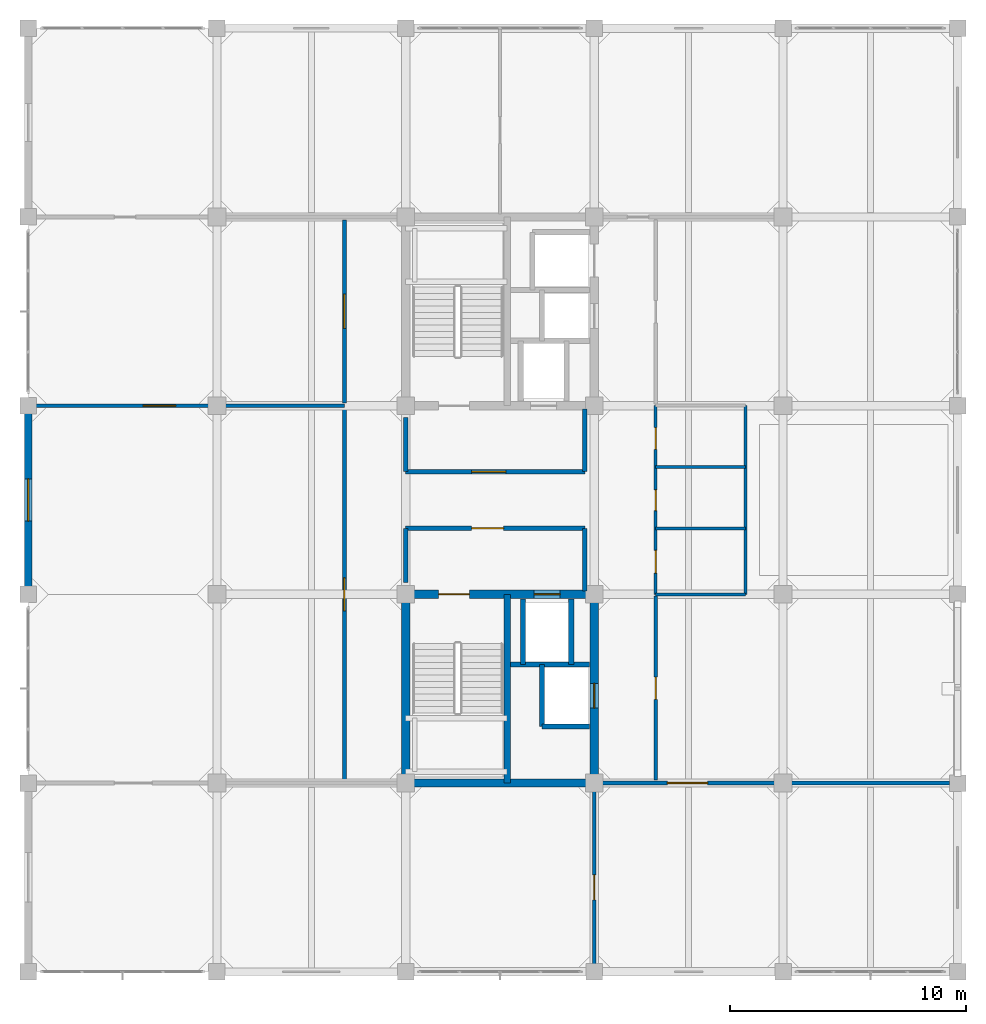
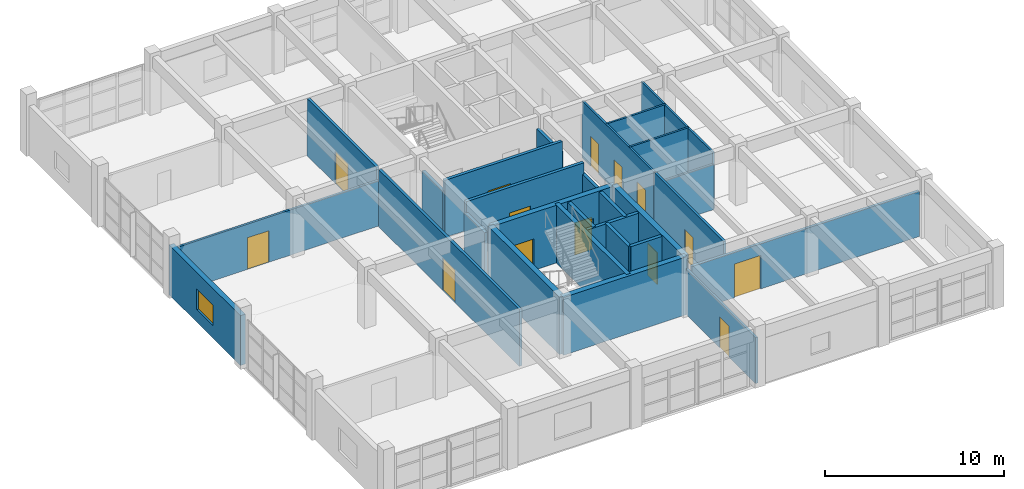
# One storey, part 21 of 27: 28 walls, 14 doors, 1 window, 15 openings.
"""IFC4 building model written with IfcOpenShell, lengths in metres."""

from ifc_helpers import new_model, si_unit, direction, frame, frame_2d, origin, place, context, subcontext, project, spatial, rectangle, extrude, material, layer, layer_set, type_object, element, fill, save


model = new_model("IFC4")

# Units and contexts
model_context = context("Model", 3, precision=1e-05, world=origin(), true_north=direction((0.0, 1.0)))
body_context = subcontext(model_context, "Body", "Model", "MODEL_VIEW")
ifc_project = project(units=[si_unit("LENGTHUNIT", "METRE"), si_unit("AREAUNIT", "SQUARE_METRE"), si_unit("VOLUMEUNIT", "CUBIC_METRE"), si_unit("PLANEANGLEUNIT", "RADIAN"), si_unit("MASSUNIT", "GRAM", prefix="KILO")], contexts=[model_context])

# Site, building, storey
site_placement = place(None, origin())
site = spatial("IfcSite", under=ifc_project, at=site_placement, CompositionType="ELEMENT")
building_placement = place(site_placement, origin())
building = spatial("IfcBuilding", under=site, at=building_placement, Name="Canggui Botanical Conservatory", CompositionType="ELEMENT")
storey_placement = place(building_placement, frame((0.0, 0.0, 36.0)))
storey = spatial("IfcBuildingStorey", under=building, at=storey_placement, Name="L09", CompositionType="ELEMENT", Elevation=36.0)

# Wall, opening, window
ifc_material_1 = material(Name="Precast Concrete C40", Category="concrete")
ifc_layer_1 = layer(ifc_material_1, 0.320068359375, Name="Precast Concrete C40", Category="concrete")
ifc_layer_set_1 = layer_set([ifc_layer_1], Name="Precast Concrete C40")
wall_type_1 = type_object("IfcWallType", Name="EW-320", PredefinedType="STANDARD", material=ifc_layer_set_1)
wall_1_placement = place(storey_placement, frame((138.0, 50.0, 0.0), z_axis=(0.0, 0.0, 1.0), x_axis=(0.0, 1.0, 0.0)))
wall_1 = element("IfcWall", 1, at=wall_1_placement, inside=storey, type_object=wall_type_1, Name="Tower Insulated Exterior Wall L09-W8", PredefinedType="STANDARD", context=body_context, shape_type="SweptSolid", body=[
    extrude(rectangle(XDim=8.0, YDim=0.320068359375, at=frame_2d((4.0, 0.0))), origin(), (0.0, 0.0, 1.0), 3.39990234375),
])
opening_1_placement = place(wall_1_placement, frame((3.10009765625, 0.0, 0.85009765625)))
opening_1 = element("IfcOpeningElement", 2, at=opening_1_placement, cuts=wall_1, Name="Opening W-03", PredefinedType="OPENING", context=body_context, shape_type="SweptSolid", body=[
    extrude(rectangle(XDim=1.800048828125, YDim=1.39990234375, at=frame_2d((0.89990234375, 0.699951171875))), frame((0.0, 0.169921875, 0.0), z_axis=(0.0, -1.0, 0.0), x_axis=(1.0, 0.0, 0.0)), (0.0, 0.0, 1.0), 0.340087890625),
])
ifc_material_2 = material(Name="Low-E Insulated Glass", Category="glass")
window_type = type_object("IfcWindowType", Name="WIN-03", PartitioningType="DOUBLE_PANEL_VERTICAL", PredefinedType="WINDOW", material=ifc_material_2)
window_placement = place(opening_1_placement, origin())
window = element("IfcWindow", 3, at=window_placement, inside=storey, type_object=window_type, Name="Tower Window L09-8", OverallHeight=1.39990234375, OverallWidth=1.800048828125, PartitioningType="SINGLE_PANEL", PredefinedType="WINDOW", context=body_context, shape_type="SweptSolid", body=[
    extrude(rectangle(XDim=1.800048828125, YDim=1.39990234375, at=frame_2d((0.89990234375, 0.699951171875))), frame((0.0, 0.030029296875, 0.0), z_axis=(0.0, -1.0, 0.0), x_axis=(1.0, 0.0, 0.0)), (0.0, 0.0, 1.0), 0.06005859375),
])
fill(opening_1, window)

# Wall, opening, door
ifc_material_3 = material(Name="Gypsum Plasterboard Partition")
ifc_layer_2 = layer(ifc_material_3, 0.175048828125, Name="Gypsum Plasterboard Partition")
ifc_layer_set_2 = layer_set([ifc_layer_2], Name="Gypsum Plasterboard Partition")
wall_type_2 = type_object("IfcWallType", Name="IW-CORR-175", PredefinedType="STANDARD", material=ifc_layer_set_2)
wall_2_placement = place(storey_placement, frame((151.39990234375, 42.1201171875, 0.0), z_axis=(0.0, 0.0, 1.0), x_axis=(0.0, 1.0, 0.0)))
wall_2 = element("IfcWall", 4, at=wall_2_placement, inside=storey, type_object=wall_type_2, Name="L09 Molecular Botany Research Laboratory Corridor Wall", PredefinedType="STANDARD", context=body_context, shape_type="SweptSolid", body=[
    extrude(rectangle(XDim=15.759765625, YDim=0.175048828125, at=frame_2d((7.8798828125, 0.0))), origin(), (0.0, 0.0, 1.0), 3.89990234375),
])
opening_2_placement = place(wall_2_placement, frame((7.179931640625, 0.0, 0.0)))
opening_2 = element("IfcOpeningElement", 5, at=opening_2_placement, cuts=wall_2, Name="Opening FD-11", PredefinedType="OPENING", context=body_context, shape_type="SweptSolid", body=[
    extrude(rectangle(XDim=1.39990234375, YDim=2.199951171875, at=frame_2d((0.699951171875, 1.10009765625))), frame((0.0, 0.09765625, 0.0), z_axis=(0.0, -1.0, 0.0), x_axis=(1.0, 0.0, 0.0)), (0.0, 0.0, 1.0), 0.195068359375),
])
ifc_material_4 = material(Name="Powder-Coated Steel", Category="steel")
door_type_1 = type_object("IfcDoorType", Name="FD-11", OperationType="NOTDEFINED", PredefinedType="DOOR", material=ifc_material_4)
door_1_placement = place(opening_2_placement, origin())
door_1 = element("IfcDoor", 6, at=door_1_placement, inside=storey, type_object=door_type_1, Name="L09 Molecular Botany Research Laboratory Entrance Door", OperationType="SINGLE_SWING_LEFT", OverallHeight=2.199951171875, OverallWidth=1.39990234375, PredefinedType="DOOR", context=body_context, shape_type="SweptSolid", body=[
    extrude(rectangle(XDim=1.39990234375, YDim=2.199951171875, at=frame_2d((0.699951171875, 1.10009765625))), frame((0.0, 0.02490234375, 0.0), z_axis=(0.0, -1.0, 0.0), x_axis=(1.0, 0.0, 0.0)), (0.0, 0.0, 1.0), 0.050048828125),
])
fill(opening_2, door_1)

wall_3_placement = place(storey_placement, frame((151.39990234375, 58.1201171875, 0.0), z_axis=(0.0, 0.0, 1.0), x_axis=(0.0, 1.0, 0.0)))
wall_3 = element("IfcWall", 7, at=wall_3_placement, inside=storey, type_object=wall_type_2, Name="L09 PCR Amplification Clean Suite Corridor Wall", PredefinedType="STANDARD", context=body_context, shape_type="SweptSolid", body=[
    extrude(rectangle(XDim=7.759765625, YDim=0.175048828125, at=frame_2d((3.8798828125, 0.0))), origin(), (0.0, 0.0, 1.0), 3.89990234375),
])
opening_3_placement = place(wall_3_placement, frame((3.155029296875, 0.0, 0.0)))
opening_3 = element("IfcOpeningElement", 8, at=opening_3_placement, cuts=wall_3, Name="Opening FD-12", PredefinedType="OPENING", context=body_context, shape_type="SweptSolid", body=[
    extrude(rectangle(XDim=1.449951171875, YDim=2.199951171875, at=frame_2d((0.72509765625, 1.10009765625))), frame((0.0, 0.09765625, 0.0), z_axis=(0.0, -1.0, 0.0), x_axis=(1.0, 0.0, 0.0)), (0.0, 0.0, 1.0), 0.195068359375),
])
door_type_2 = type_object("IfcDoorType", Name="FD-12", OperationType="NOTDEFINED", PredefinedType="DOOR", material=ifc_material_4)
door_2_placement = place(opening_3_placement, origin())
door_2 = element("IfcDoor", 9, at=door_2_placement, inside=storey, type_object=door_type_2, Name="L09 PCR Amplification Clean Suite Entrance Door", OperationType="SINGLE_SWING_LEFT", OverallHeight=2.199951171875, OverallWidth=1.449951171875, PredefinedType="DOOR", context=body_context, shape_type="SweptSolid", body=[
    extrude(rectangle(XDim=1.449951171875, YDim=2.199951171875, at=frame_2d((0.72509765625, 1.10009765625))), frame((0.0, 0.02490234375, 0.0), z_axis=(0.0, -1.0, 0.0), x_axis=(1.0, 0.0, 0.0)), (0.0, 0.0, 1.0), 0.050048828125),
])
fill(opening_3, door_2)

wall_4_placement = place(storey_placement, frame((162.35009765625, 42.0, 0.0), z_axis=(0.0, 0.0, 1.0), x_axis=(1.0, 0.0, 0.0)))
wall_4 = element("IfcWall", 10, at=wall_4_placement, inside=storey, type_object=wall_type_2, Name="L09 Nucleic Acid Extraction Room South Suite Wall", PredefinedType="STANDARD", context=body_context, shape_type="SweptSolid", body=[
    extrude(rectangle(XDim=14.699951171875, YDim=0.175048828125, at=frame_2d((7.35009765625, 0.0))), origin(), (0.0, 0.0, 1.0), 3.090087890625),
])
opening_4_placement = place(wall_4_placement, frame((2.75, 0.0, 0.0)))
opening_4 = element("IfcOpeningElement", 11, at=opening_4_placement, cuts=wall_4, Name="Opening FD-16", PredefinedType="OPENING", context=body_context, shape_type="SweptSolid", body=[
    extrude(rectangle(XDim=1.699951171875, YDim=2.300048828125, at=frame_2d((0.85009765625, 1.14990234375))), frame((0.0, 0.09765625, 0.0), z_axis=(0.0, -1.0, 0.0), x_axis=(1.0, 0.0, 0.0)), (0.0, 0.0, 1.0), 0.195068359375),
])
door_type_3 = type_object("IfcDoorType", Name="FD-16", OperationType="NOTDEFINED", PredefinedType="DOOR", material=ifc_material_4)
door_3_placement = place(opening_4_placement, origin())
door_3 = element("IfcDoor", 12, at=door_3_placement, inside=storey, type_object=door_type_3, Name="Interior Door IW-L09-SCOR-2", OperationType="DOUBLE_DOOR_SINGLE_SWING", OverallHeight=2.300048828125, OverallWidth=1.699951171875, PredefinedType="DOOR", context=body_context, shape_type="SweptSolid", body=[
    extrude(rectangle(XDim=1.699951171875, YDim=2.300048828125, at=frame_2d((0.85009765625, 1.14990234375))), frame((0.0, 0.02490234375, 0.0), z_axis=(0.0, -1.0, 0.0), x_axis=(1.0, 0.0, 0.0)), (0.0, 0.0, 1.0), 0.050048828125),
])
fill(opening_4, door_3)

ifc_layer_3 = layer(ifc_material_3, 0.155029296875, Name="Gypsum Plasterboard Partition")
ifc_layer_set_3 = layer_set([ifc_layer_3], Name="Gypsum Plasterboard Partition")
wall_type_3 = type_object("IfcWallType", Name="IW-LAB-155", PredefinedType="STANDARD", material=ifc_layer_set_3)
wall_5_placement = place(storey_placement, frame((164.60009765625, 42.1201171875, 0.0), z_axis=(0.0, 0.0, 1.0), x_axis=(0.0, 1.0, 0.0)))
wall_5 = element("IfcWall", 13, at=wall_5_placement, inside=storey, type_object=wall_type_3, Name="L09 Proteomics and Sequencing Research Laboratory Lab Wall", PredefinedType="STANDARD", context=body_context, shape_type="SweptSolid", body=[
    extrude(rectangle(XDim=7.7998046875, YDim=0.155029296875, at=frame_2d((3.89990234375, 0.0))), origin(), (0.0, 0.0, 1.0), 3.89990234375),
])
opening_5_placement = place(wall_5_placement, frame((3.425048828125, 0.0, 0.0)))
opening_5 = element("IfcOpeningElement", 14, at=opening_5_placement, cuts=wall_5, Name="Opening FD-02", PredefinedType="OPENING", context=body_context, shape_type="SweptSolid", body=[
    extrude(rectangle(XDim=0.949951171875, YDim=2.10009765625, at=frame_2d((0.47509765625, 1.050048828125))), frame((0.0, 0.08740234375, 0.0), z_axis=(0.0, -1.0, 0.0), x_axis=(1.0, 0.0, 0.0)), (0.0, 0.0, 1.0), 0.175048828125),
])
door_type_4 = type_object("IfcDoorType", Name="FD-02", OperationType="NOTDEFINED", PredefinedType="DOOR", material=ifc_material_4)
door_4_placement = place(opening_5_placement, origin())
door_4 = element("IfcDoor", 15, at=door_4_placement, inside=storey, type_object=door_type_4, Name="Interior Door IW-L09-ECOR-1-1", OperationType="SINGLE_SWING_RIGHT", OverallHeight=2.10009765625, OverallWidth=0.949951171875, PredefinedType="DOOR", context=body_context, shape_type="SweptSolid", body=[
    extrude(rectangle(XDim=0.949951171875, YDim=2.10009765625, at=frame_2d((0.47509765625, 1.050048828125))), frame((0.0, 0.02490234375, 0.0), z_axis=(0.0, -1.0, 0.0), x_axis=(1.0, 0.0, 0.0)), (0.0, 0.0, 1.0), 0.050048828125),
])
fill(opening_5, door_4)

ifc_material_5 = material(Name="Concrete C35", Category="concrete")
ifc_layer_4 = layer(ifc_material_5, 0.195068359375, Name="Concrete C35", Category="concrete")
ifc_layer_set_4 = layer_set([ifc_layer_4], Name="Concrete C35")
wall_type_4 = type_object("IfcWallType", Name="IW-LOBBY-195", PredefinedType="STANDARD", material=ifc_layer_set_4)
wall_6_placement = place(storey_placement, frame((154.0, 52.800048828125, 0.0), z_axis=(0.0, 0.0, 1.0), x_axis=(1.0, 0.0, 0.0)))
wall_6 = element("IfcWall", 16, at=wall_6_placement, inside=storey, type_object=wall_type_4, Name="L09 South Firefighting Lift Lobby North Wall", PredefinedType="STANDARD", context=body_context, shape_type="SweptSolid", body=[
    extrude(rectangle(XDim=7.60009765625, YDim=0.195068359375, at=frame_2d((3.800048828125, 0.0))), origin(), (0.0, 0.0, 1.0), 3.89990234375),
])
opening_6_placement = place(wall_6_placement, frame((2.800048828125, 0.0, 0.0)))
opening_6 = element("IfcOpeningElement", 17, at=opening_6_placement, cuts=wall_6, Name="Opening FD-10", PredefinedType="OPENING", context=body_context, shape_type="SweptSolid", body=[
    extrude(rectangle(XDim=1.35009765625, YDim=2.14990234375, at=frame_2d((0.675048828125, 1.074951171875))), frame((0.0, 0.107421875, 0.0), z_axis=(0.0, -1.0, 0.0), x_axis=(1.0, 0.0, 0.0)), (0.0, 0.0, 1.0), 0.215087890625),
])
door_type_5 = type_object("IfcDoorType", Name="FD-10", OperationType="NOTDEFINED", PredefinedType="DOOR", material=ifc_material_4)
door_5_placement = place(opening_6_placement, origin())
door_5 = element("IfcDoor", 18, at=door_5_placement, inside=storey, type_object=door_type_5, Name="L09 South Firefighting Lobby Fire Door", OperationType="SINGLE_SWING_RIGHT", OverallHeight=2.14990234375, OverallWidth=1.35009765625, PredefinedType="DOOR", context=body_context, shape_type="SweptSolid", body=[
    extrude(rectangle(XDim=1.35009765625, YDim=2.14990234375, at=frame_2d((0.675048828125, 1.074951171875))), frame((0.0, 0.02490234375, 0.0), z_axis=(0.0, -1.0, 0.0), x_axis=(1.0, 0.0, 0.0)), (0.0, 0.0, 1.0), 0.050048828125),
])
fill(opening_6, door_5)

# Walls
wall_7_placement = place(storey_placement, frame((161.60009765625, 50.14990234375, 0.0), z_axis=(0.0, 0.0, 1.0), x_axis=(0.0, 1.0, 0.0)))
element("IfcWall", 19, at=wall_7_placement, inside=storey, type_object=wall_type_4, Name="L09 South Firefighting Lift Lobby East Wall", PredefinedType="STANDARD", context=body_context, shape_type="SweptSolid", body=[
    extrude(rectangle(XDim=2.650146484375, YDim=0.195068359375, at=frame_2d((1.3251953125, 0.0))), origin(), (0.0, 0.0, 1.0), 3.139892578125),
])
wall_8_placement = place(storey_placement, frame((154.0, 50.5, 0.0), z_axis=(0.0, 0.0, 1.0), x_axis=(0.0, 1.0, 0.0)))
element("IfcWall", 20, at=wall_8_placement, inside=storey, type_object=wall_type_4, Name="L09 South Firefighting Lift Lobby West Wall", PredefinedType="STANDARD", context=body_context, shape_type="SweptSolid", body=[
    extrude(rectangle(XDim=2.300048828125, YDim=0.195068359375, at=frame_2d((1.14990234375, 0.0))), origin(), (0.0, 0.0, 1.0), 3.139892578125),
])

# Wall, opening, door
wall_9_placement = place(storey_placement, frame((154.0, 55.199951171875, 0.0), z_axis=(0.0, 0.0, 1.0), x_axis=(1.0, 0.0, 0.0)))
wall_9 = element("IfcWall", 21, at=wall_9_placement, inside=storey, type_object=wall_type_4, Name="L09 North Firefighting Lift Lobby South Wall", PredefinedType="STANDARD", context=body_context, shape_type="SweptSolid", body=[
    extrude(rectangle(XDim=7.60009765625, YDim=0.195068359375, at=frame_2d((3.800048828125, 0.0))), origin(), (0.0, 0.0, 1.0), 3.89990234375),
])
opening_7_placement = place(wall_9_placement, frame((2.800048828125, 0.0, 0.0)))
opening_7 = element("IfcOpeningElement", 22, at=opening_7_placement, cuts=wall_9, Name="Opening FD-12", PredefinedType="OPENING", context=body_context, shape_type="SweptSolid", body=[
    extrude(rectangle(XDim=1.449951171875, YDim=2.199951171875, at=frame_2d((0.72509765625, 1.10009765625))), frame((0.0, 0.107421875, 0.0), z_axis=(0.0, -1.0, 0.0), x_axis=(1.0, 0.0, 0.0)), (0.0, 0.0, 1.0), 0.215087890625),
])
door_6_placement = place(opening_7_placement, origin())
door_6 = element("IfcDoor", 23, at=door_6_placement, inside=storey, type_object=door_type_2, Name="L09 North Firefighting Lobby Fire Door", OperationType="SINGLE_SWING_LEFT", OverallHeight=2.199951171875, OverallWidth=1.449951171875, PredefinedType="DOOR", context=body_context, shape_type="SweptSolid", body=[
    extrude(rectangle(XDim=1.449951171875, YDim=2.199951171875, at=frame_2d((0.72509765625, 1.10009765625))), frame((0.0, 0.02490234375, 0.0), z_axis=(0.0, -1.0, 0.0), x_axis=(1.0, 0.0, 0.0)), (0.0, 0.0, 1.0), 0.050048828125),
])
fill(opening_7, door_6)

# Walls
wall_10_placement = place(storey_placement, frame((161.60009765625, 55.199951171875, 0.0), z_axis=(0.0, 0.0, 1.0), x_axis=(0.0, 1.0, 0.0)))
element("IfcWall", 24, at=wall_10_placement, inside=storey, type_object=wall_type_4, Name="L09 North Firefighting Lift Lobby East Wall", PredefinedType="STANDARD", context=body_context, shape_type="SweptSolid", body=[
    extrude(rectangle(XDim=2.650146484375, YDim=0.195068359375, at=frame_2d((1.3251953125, 0.0))), origin(), (0.0, 0.0, 1.0), 3.139892578125),
])
wall_11_placement = place(storey_placement, frame((154.0, 55.199951171875, 0.0), z_axis=(0.0, 0.0, 1.0), x_axis=(0.0, 1.0, 0.0)))
element("IfcWall", 25, at=wall_11_placement, inside=storey, type_object=wall_type_4, Name="L09 North Firefighting Lift Lobby West Wall", PredefinedType="STANDARD", context=body_context, shape_type="SweptSolid", body=[
    extrude(rectangle(XDim=2.300048828125, YDim=0.195068359375, at=frame_2d((1.14990234375, 0.0))), origin(), (0.0, 0.0, 1.0), 3.139892578125),
])

# Wall, opening, door
ifc_layer_5 = layer(ifc_material_3, 0.139892578125, Name="Gypsum Plasterboard Partition")
ifc_layer_set_5 = layer_set([ifc_layer_5], Name="Gypsum Plasterboard Partition")
wall_type_5 = type_object("IfcWallType", Name="IW-PART-140", PredefinedType="STANDARD", material=ifc_layer_set_5)
wall_12_placement = place(storey_placement, frame((138.1201171875, 58.0, 0.0), z_axis=(0.0, 0.0, 1.0), x_axis=(1.0, 0.0, 0.0)))
wall_12 = element("IfcWall", 26, at=wall_12_placement, inside=storey, type_object=wall_type_5, Name="L09 Molecular Botany Research Laboratory Cross Partition", PredefinedType="STANDARD", context=body_context, shape_type="SweptSolid", body=[
    extrude(rectangle(XDim=13.27978515625, YDim=0.139892578125, at=frame_2d((6.639892578125, 0.0))), origin(), (0.0, 0.0, 1.0), 3.090087890625),
])
opening_8_placement = place(wall_12_placement, frame((4.75, 0.0, 0.0)))
opening_8 = element("IfcOpeningElement", 27, at=opening_8_placement, cuts=wall_12, Name="Opening ID-11", PredefinedType="OPENING", context=body_context, shape_type="SweptSolid", body=[
    extrude(rectangle(XDim=1.3798828125, YDim=2.159912109375, at=frame_2d((0.68994140625, 1.080078125))), frame((0.0, 0.080078125, 0.0), z_axis=(0.0, -1.0, 0.0), x_axis=(1.0, 0.0, 0.0)), (0.0, 0.0, 1.0), 0.159912109375),
])
ifc_material_6 = material(Name="Engineered Timber Veneer", Category="wood")
door_type_6 = type_object("IfcDoorType", Name="ID-11", OperationType="NOTDEFINED", PredefinedType="DOOR", material=ifc_material_6)
door_7_placement = place(opening_8_placement, origin())
door_7 = element("IfcDoor", 28, at=door_7_placement, inside=storey, type_object=door_type_6, Name="L09 Molecular Botany Research Laboratory Interconnecting Door", OperationType="SINGLE_SWING_RIGHT", OverallHeight=2.159912109375, OverallWidth=1.3798828125, PredefinedType="DOOR", context=body_context, shape_type="SweptSolid", body=[
    extrude(rectangle(XDim=1.3798828125, YDim=2.159912109375, at=frame_2d((0.68994140625, 1.080078125))), frame((0.0, 0.02490234375, 0.0), z_axis=(0.0, -1.0, 0.0), x_axis=(1.0, 0.0, 0.0)), (0.0, 0.0, 1.0), 0.050048828125),
])
fill(opening_8, door_7)

wall_13_placement = place(storey_placement, frame((162.0, 34.050048828125, 0.0), z_axis=(0.0, 0.0, 1.0), x_axis=(0.0, 1.0, 0.0)))
wall_13 = element("IfcWall", 29, at=wall_13_placement, inside=storey, type_object=wall_type_5, Name="L09 High-Throughput Plant Genomics Laboratory South Cross Wall", PredefinedType="STANDARD", context=body_context, shape_type="SweptSolid", body=[
    extrude(rectangle(XDim=7.829833984375, YDim=0.139892578125, at=frame_2d((3.9150390625, 0.0))), origin(), (0.0, 0.0, 1.0), 3.139892578125),
])
opening_9_placement = place(wall_13_placement, frame((3.0, 0.0, 0.0)))
opening_9 = element("IfcOpeningElement", 30, at=opening_9_placement, cuts=wall_13, Name="Opening ID-05", PredefinedType="OPENING", context=body_context, shape_type="SweptSolid", body=[
    extrude(rectangle(XDim=1.06005859375, YDim=2.1201171875, at=frame_2d((0.530029296875, 1.06005859375))), frame((0.0, 0.080078125, 0.0), z_axis=(0.0, -1.0, 0.0), x_axis=(1.0, 0.0, 0.0)), (0.0, 0.0, 1.0), 0.159912109375),
])
door_type_7 = type_object("IfcDoorType", Name="ID-05", OperationType="NOTDEFINED", PredefinedType="DOOR", material=ifc_material_6)
door_8_placement = place(opening_9_placement, origin())
door_8 = element("IfcDoor", 31, at=door_8_placement, inside=storey, type_object=door_type_7, Name="Interior Door IW-L09-SDIV-1", OperationType="SINGLE_SWING_RIGHT", OverallHeight=2.1201171875, OverallWidth=1.06005859375, PredefinedType="DOOR", context=body_context, shape_type="SweptSolid", body=[
    extrude(rectangle(XDim=1.06005859375, YDim=2.1201171875, at=frame_2d((0.530029296875, 1.06005859375))), frame((0.0, 0.02490234375, 0.0), z_axis=(0.0, -1.0, 0.0), x_axis=(1.0, 0.0, 0.0)), (0.0, 0.0, 1.0), 0.050048828125),
])
fill(opening_9, door_8)

# Walls
ifc_layer_6 = layer(ifc_material_5, 0.215087890625, Name="Concrete C35", Category="concrete")
ifc_layer_set_6 = layer_set([ifc_layer_6], Name="Concrete C35")
wall_type_6 = type_object("IfcWallType", Name="IW-SHAFT-215", PredefinedType="STANDARD", material=ifc_layer_set_6)
wall_14_placement = place(storey_placement, frame((158.449951171875, 47.02001953125, 0.0), z_axis=(0.0, 0.0, 1.0), x_axis=(1.0, 0.0, 0.0)))
element("IfcWall", 32, at=wall_14_placement, inside=storey, type_object=wall_type_6, Name="Core T1 Lift Shaft Divider L09", PredefinedType="STANDARD", context=body_context, shape_type="SweptSolid", body=[
    extrude(rectangle(XDim=3.35009765625, YDim=0.215087890625, at=frame_2d((1.675048828125, 0.0))), origin(), (0.0, 0.0, 1.0), 3.89990234375),
])
for number, where, z_axis, x_axis, name in (
    (33, (158.97998046875, 47.02001953125, 0.0), (0.0, 0.0, 1.0), (0.0, 1.0, 0.0), "Core T1 FL-01 West Shaft Wall L09"),
    (34, (161.02001953125, 47.02001953125, 0.0), (0.0, 0.0, 1.0), (0.0, 1.0, 0.0), "Core T1 FL-01 East Shaft Wall L09"),
):
    element("IfcWall", number, at=place(storey_placement, frame(where, z_axis=z_axis, x_axis=x_axis)), inside=storey, type_object=wall_type_6, Name=name, PredefinedType="STANDARD", context=body_context, shape_type="SweptSolid", body=[
        extrude(rectangle(XDim=2.780029296875, YDim=0.215087890625, at=frame_2d((1.39013671875, 0.0))), origin(), (0.0, 0.0, 1.0), 3.89990234375),
    ])
wall_15_placement = place(storey_placement, frame((159.780029296875, 44.39990234375, 0.0), z_axis=(0.0, 0.0, 1.0), x_axis=(0.0, 1.0, 0.0)))
element("IfcWall", 35, at=wall_15_placement, inside=storey, type_object=wall_type_6, Name="Core T1 PL-01 West Shaft Wall L09", PredefinedType="STANDARD", context=body_context, shape_type="SweptSolid", body=[
    extrude(rectangle(XDim=2.6201171875, YDim=0.215087890625, at=frame_2d((1.31005859375, 0.0))), origin(), (0.0, 0.0, 1.0), 3.89990234375),
])
wall_16_placement = place(storey_placement, frame((159.780029296875, 44.39990234375, 0.0), z_axis=(0.0, 0.0, 1.0), x_axis=(1.0, 0.0, 0.0)))
element("IfcWall", 36, at=wall_16_placement, inside=storey, type_object=wall_type_6, Name="Core T1 PL-01 South Shaft Wall L09", PredefinedType="STANDARD", context=body_context, shape_type="SweptSolid", body=[
    extrude(rectangle(XDim=2.02001953125, YDim=0.215087890625, at=frame_2d((1.010009765625, 0.0))), origin(), (0.0, 0.0, 1.0), 3.89990234375),
])

# Wall, openings, doors
ifc_layer_7 = layer(ifc_material_3, 0.125, Name="Gypsum Plasterboard Partition")
ifc_layer_set_7 = layer_set([ifc_layer_7], Name="Gypsum Plasterboard Partition")
wall_type_7 = type_object("IfcWallType", Name="IW-WC-125", PredefinedType="STANDARD", material=ifc_layer_set_7)
wall_17_placement = place(storey_placement, frame((164.60009765625, 50.0, 0.0), z_axis=(0.0, 0.0, 1.0), x_axis=(0.0, 1.0, 0.0)))
wall_17 = element("IfcWall", 37, at=wall_17_placement, inside=storey, type_object=wall_type_7, Name="L09 Restroom Block Corridor Wall", PredefinedType="STANDARD", context=body_context, shape_type="SweptSolid", body=[
    extrude(rectangle(XDim=8.0, YDim=0.125, at=frame_2d((4.0, 0.0))), origin(), (0.0, 0.0, 1.0), 3.89990234375),
])
opening_10_placement = place(wall_17_placement, frame((0.89990234375, 0.0, 0.0)))
opening_10 = element("IfcOpeningElement", 38, at=opening_10_placement, cuts=wall_17, Name="Opening ID-03", PredefinedType="OPENING", context=body_context, shape_type="SweptSolid", body=[
    extrude(rectangle(XDim=0.9599609375, YDim=2.080078125, at=frame_2d((0.47998046875, 1.0400390625))), frame((0.0, 0.072509765625, 0.0), z_axis=(0.0, -1.0, 0.0), x_axis=(1.0, 0.0, 0.0)), (0.0, 0.0, 1.0), 0.14501953125),
])
opening_11_placement = place(wall_17_placement, frame((3.550048828125, 0.0, 0.0)))
opening_11 = element("IfcOpeningElement", 39, at=opening_11_placement, cuts=wall_17, Name="Opening ID-01", PredefinedType="OPENING", context=body_context, shape_type="SweptSolid", body=[
    extrude(rectangle(XDim=0.8798828125, YDim=2.050048828125, at=frame_2d((0.43994140625, 1.02490234375))), frame((0.0, 0.072509765625, 0.0), z_axis=(0.0, -1.0, 0.0), x_axis=(1.0, 0.0, 0.0)), (0.0, 0.0, 1.0), 0.14501953125),
])
opening_12_placement = place(wall_17_placement, frame((6.14990234375, 0.0, 0.0)))
opening_12 = element("IfcOpeningElement", 40, at=opening_12_placement, cuts=wall_17, Name="Opening ID-02", PredefinedType="OPENING", context=body_context, shape_type="SweptSolid", body=[
    extrude(rectangle(XDim=0.919921875, YDim=2.050048828125, at=frame_2d((0.4599609375, 1.02490234375))), frame((0.0, 0.072509765625, 0.0), z_axis=(0.0, -1.0, 0.0), x_axis=(1.0, 0.0, 0.0)), (0.0, 0.0, 1.0), 0.14501953125),
])
door_type_8 = type_object("IfcDoorType", Name="ID-01", OperationType="NOTDEFINED", PredefinedType="DOOR", material=ifc_material_6)
door_9_placement = place(opening_11_placement, origin())
door_9 = element("IfcDoor", 41, at=door_9_placement, inside=storey, type_object=door_type_8, Name="L09 Male WC Door", OperationType="SINGLE_SWING_LEFT", OverallHeight=2.050048828125, OverallWidth=0.8798828125, PredefinedType="DOOR", context=body_context, shape_type="SweptSolid", body=[
    extrude(rectangle(XDim=0.8798828125, YDim=2.050048828125, at=frame_2d((0.43994140625, 1.02490234375))), frame((0.0, 0.02490234375, 0.0), z_axis=(0.0, -1.0, 0.0), x_axis=(1.0, 0.0, 0.0)), (0.0, 0.0, 1.0), 0.050048828125),
])
fill(opening_11, door_9)
door_type_9 = type_object("IfcDoorType", Name="ID-02", OperationType="NOTDEFINED", PredefinedType="DOOR", material=ifc_material_6)
door_10_placement = place(opening_12_placement, origin())
door_10 = element("IfcDoor", 42, at=door_10_placement, inside=storey, type_object=door_type_9, Name="L09 Female WC Door", OperationType="SINGLE_SWING_RIGHT", OverallHeight=2.050048828125, OverallWidth=0.919921875, PredefinedType="DOOR", context=body_context, shape_type="SweptSolid", body=[
    extrude(rectangle(XDim=0.919921875, YDim=2.050048828125, at=frame_2d((0.4599609375, 1.02490234375))), frame((0.0, 0.02490234375, 0.0), z_axis=(0.0, -1.0, 0.0), x_axis=(1.0, 0.0, 0.0)), (0.0, 0.0, 1.0), 0.050048828125),
])
fill(opening_12, door_10)
door_type_10 = type_object("IfcDoorType", Name="ID-03", OperationType="NOTDEFINED", PredefinedType="DOOR", material=ifc_material_6)
door_11_placement = place(opening_10_placement, origin())
door_11 = element("IfcDoor", 43, at=door_11_placement, inside=storey, type_object=door_type_10, Name="L09 Accessible WC Door", OperationType="SINGLE_SWING_RIGHT", OverallHeight=2.080078125, OverallWidth=0.9599609375, PredefinedType="DOOR", context=body_context, shape_type="SweptSolid", body=[
    extrude(rectangle(XDim=0.9599609375, YDim=2.080078125, at=frame_2d((0.47998046875, 1.0400390625))), frame((0.0, 0.02490234375, 0.0), z_axis=(0.0, -1.0, 0.0), x_axis=(1.0, 0.0, 0.0)), (0.0, 0.0, 1.0), 0.050048828125),
])
fill(opening_10, door_11)

# Walls
wall_18_placement = place(storey_placement, frame((168.39990234375, 50.0, 0.0), z_axis=(0.0, 0.0, 1.0), x_axis=(0.0, 1.0, 0.0)))
element("IfcWall", 44, at=wall_18_placement, inside=storey, type_object=wall_type_7, Name="L09 Restroom Block Back Wall", PredefinedType="STANDARD", context=body_context, shape_type="SweptSolid", body=[
    extrude(rectangle(XDim=8.0, YDim=0.125, at=frame_2d((4.0, 0.0))), origin(), (0.0, 0.0, 1.0), 3.89990234375),
])
wall_19_placement = place(storey_placement, frame((164.60009765625, 50.0, 0.0), z_axis=(0.0, 0.0, 1.0), x_axis=(1.0, 0.0, 0.0)))
element("IfcWall", 45, at=wall_19_placement, inside=storey, type_object=wall_type_7, Name="L09 Restroom Divider Y50.0", PredefinedType="STANDARD", context=body_context, shape_type="SweptSolid", body=[
    extrude(rectangle(XDim=3.7998046875, YDim=0.125, at=frame_2d((1.89990234375, 0.0))), origin(), (0.0, 0.0, 1.0), 3.090087890625),
])
for number, where, z_axis, x_axis, name in (
    (46, (164.60009765625, 52.800048828125, 0.0), (0.0, 0.0, 1.0), (1.0, 0.0, 0.0), "L09 Restroom Divider Y52.8"),
    (47, (164.60009765625, 55.39990234375, 0.0), (0.0, 0.0, 1.0), (1.0, 0.0, 0.0), "L09 Restroom Divider Y55.4"),
):
    element("IfcWall", number, at=place(storey_placement, frame(where, z_axis=z_axis, x_axis=x_axis)), inside=storey, type_object=wall_type_7, Name=name, PredefinedType="STANDARD", context=body_context, shape_type="SweptSolid", body=[
        extrude(rectangle(XDim=3.7998046875, YDim=0.125, at=frame_2d((1.89990234375, 0.0))), origin(), (0.0, 0.0, 1.0), 3.89990234375),
    ])
ifc_layer_8 = layer(ifc_material_5, 0.280029296875, Name="Concrete C35", Category="concrete")
ifc_layer_set_8 = layer_set([ifc_layer_8], Name="Concrete C35")
wall_type_8 = type_object("IfcWallType", Name="WALL-SH-280-C35", PredefinedType="SHEAR", material=ifc_layer_set_8)
wall_20_placement = place(storey_placement, frame((158.300048828125, 42.0, 0.0), z_axis=(0.0, 0.0, 1.0), x_axis=(0.0, 1.0, 0.0)))
element("IfcWall", 48, at=wall_20_placement, inside=storey, type_object=wall_type_8, Name="Core T1 Internal Shear Web L09", PredefinedType="SHEAR", context=body_context, shape_type="SweptSolid", body=[
    extrude(rectangle(XDim=8.0, YDim=0.280029296875, at=frame_2d((4.0, 0.0))), origin(), (0.0, 0.0, 1.0), 3.949951171875),
])
ifc_material_7 = material(Name="Concrete C40", Category="concrete")
ifc_layer_9 = layer(ifc_material_7, 0.35009765625, Name="Concrete C40", Category="concrete")
ifc_layer_set_9 = layer_set([ifc_layer_9], Name="Concrete C40")
wall_type_9 = type_object("IfcWallType", Name="WALL-SH-350-C40", PredefinedType="SHEAR", material=ifc_layer_set_9)
wall_21_placement = place(storey_placement, frame((154.0, 42.0, 0.0), z_axis=(0.0, 0.0, 1.0), x_axis=(1.0, 0.0, 0.0)))
element("IfcWall", 49, at=wall_21_placement, inside=storey, type_object=wall_type_9, Name="Core T1 Shear Wall L09-S", PredefinedType="SHEAR", context=body_context, shape_type="SweptSolid", body=[
    extrude(rectangle(XDim=8.0, YDim=0.35009765625, at=frame_2d((4.0, 0.0))), origin(), (0.0, 0.0, 1.0), 3.949951171875),
])

# Wall, opening, door
wall_22_placement = place(storey_placement, frame((162.0, 42.0, 0.0), z_axis=(0.0, 0.0, 1.0), x_axis=(0.0, 1.0, 0.0)))
wall_22 = element("IfcWall", 50, at=wall_22_placement, inside=storey, type_object=wall_type_9, Name="Core T1 Shear Wall L09-E", PredefinedType="SHEAR", context=body_context, shape_type="SweptSolid", body=[
    extrude(rectangle(XDim=8.0, YDim=0.35009765625, at=frame_2d((4.0, 0.0))), origin(), (0.0, 0.0, 1.0), 3.949951171875),
])
opening_13_placement = place(wall_22_placement, frame((3.175048828125, 0.0, 0.0)))
opening_13 = element("IfcOpeningElement", 51, at=opening_13_placement, cuts=wall_22, Name="Opening LD-02", PredefinedType="OPENING", context=body_context, shape_type="SweptSolid", body=[
    extrude(rectangle(XDim=1.050048828125, YDim=2.199951171875, at=frame_2d((0.52490234375, 1.10009765625))), frame((0.0, 0.18505859375, 0.0), z_axis=(0.0, -1.0, 0.0), x_axis=(1.0, 0.0, 0.0)), (0.0, 0.0, 1.0), 0.3701171875),
])
ifc_material_8 = material(Name="Stainless Steel 304", Category="steel")
door_type_11 = type_object("IfcDoorType", Name="LDR-02", OperationType="NOTDEFINED", PredefinedType="DOOR", material=ifc_material_8)
door_12_placement = place(opening_13_placement, origin())
door_12 = element("IfcDoor", 52, at=door_12_placement, inside=storey, type_object=door_type_11, Name="Passenger Lift PL-01 Landing Door L09", OperationType="SLIDING_TO_LEFT", OverallHeight=2.199951171875, OverallWidth=1.050048828125, PredefinedType="DOOR", context=body_context, shape_type="SweptSolid", body=[
    extrude(rectangle(XDim=1.050048828125, YDim=2.199951171875, at=frame_2d((0.52490234375, 1.10009765625))), frame((0.0, 0.02490234375, 0.0), z_axis=(0.0, -1.0, 0.0), x_axis=(1.0, 0.0, 0.0)), (0.0, 0.0, 1.0), 0.050048828125),
])
fill(opening_13, door_12)

# Wall, openings, doors
wall_23_placement = place(storey_placement, frame((162.0, 50.0, 0.0), z_axis=(0.0, 0.0, 1.0), x_axis=(-1.0, 0.0, 0.0)))
wall_23 = element("IfcWall", 53, at=wall_23_placement, inside=storey, type_object=wall_type_9, Name="Core T1 Shear Wall L09-N", PredefinedType="SHEAR", context=body_context, shape_type="SweptSolid", body=[
    extrude(rectangle(XDim=8.0, YDim=0.35009765625, at=frame_2d((4.0, 0.0))), origin(), (0.0, 0.0, 1.0), 3.949951171875),
])
opening_14_placement = place(wall_23_placement, frame((5.300048828125, 0.0, 0.0)))
opening_14 = element("IfcOpeningElement", 54, at=opening_14_placement, cuts=wall_23, Name="Opening FD-09", PredefinedType="OPENING", context=body_context, shape_type="SweptSolid", body=[
    extrude(rectangle(XDim=1.300048828125, YDim=2.14990234375, at=frame_2d((0.64990234375, 1.074951171875))), frame((0.0, 0.18505859375, 0.0), z_axis=(0.0, -1.0, 0.0), x_axis=(1.0, 0.0, 0.0)), (0.0, 0.0, 1.0), 0.3701171875),
])
opening_15_placement = place(wall_23_placement, frame((1.449951171875, 0.0, 0.0)))
opening_15 = element("IfcOpeningElement", 55, at=opening_15_placement, cuts=wall_23, Name="Opening LD-01", PredefinedType="OPENING", context=body_context, shape_type="SweptSolid", body=[
    extrude(rectangle(XDim=1.10009765625, YDim=2.199951171875, at=frame_2d((0.550048828125, 1.10009765625))), frame((0.0, 0.18505859375, 0.0), z_axis=(0.0, -1.0, 0.0), x_axis=(1.0, 0.0, 0.0)), (0.0, 0.0, 1.0), 0.3701171875),
])
door_type_12 = type_object("IfcDoorType", Name="FD-09", OperationType="NOTDEFINED", PredefinedType="DOOR", material=ifc_material_4)
door_13_placement = place(opening_14_placement, origin())
door_13 = element("IfcDoor", 56, at=door_13_placement, inside=storey, type_object=door_type_12, Name="Tower South Smoke-Proof Stair Door L09", OperationType="SINGLE_SWING_LEFT", OverallHeight=2.14990234375, OverallWidth=1.300048828125, PredefinedType="DOOR", context=body_context, shape_type="SweptSolid", body=[
    extrude(rectangle(XDim=1.300048828125, YDim=2.14990234375, at=frame_2d((0.64990234375, 1.074951171875))), frame((0.0, 0.02490234375, 0.0), z_axis=(0.0, -1.0, 0.0), x_axis=(1.0, 0.0, 0.0)), (0.0, 0.0, 1.0), 0.050048828125),
])
fill(opening_14, door_13)
door_type_13 = type_object("IfcDoorType", Name="LDR-01", OperationType="NOTDEFINED", PredefinedType="DOOR", material=ifc_material_8)
door_14_placement = place(opening_15_placement, origin())
door_14 = element("IfcDoor", 57, at=door_14_placement, inside=storey, type_object=door_type_13, Name="Firefighting Lift FL-01 Landing Door L09", OperationType="SLIDING_TO_LEFT", OverallHeight=2.199951171875, OverallWidth=1.10009765625, PredefinedType="DOOR", context=body_context, shape_type="SweptSolid", body=[
    extrude(rectangle(XDim=1.10009765625, YDim=2.199951171875, at=frame_2d((0.550048828125, 1.10009765625))), frame((0.0, 0.02490234375, 0.0), z_axis=(0.0, -1.0, 0.0), x_axis=(1.0, 0.0, 0.0)), (0.0, 0.0, 1.0), 0.050048828125),
])
fill(opening_15, door_14)

# Wall
wall_24_placement = place(storey_placement, frame((154.0, 50.0, 0.0), z_axis=(0.0, 0.0, 1.0), x_axis=(0.0, -1.0, 0.0)))
element("IfcWall", 58, at=wall_24_placement, inside=storey, type_object=wall_type_9, Name="Core T1 Shear Wall L09-W", PredefinedType="SHEAR", context=body_context, shape_type="SweptSolid", body=[
    extrude(rectangle(XDim=8.0, YDim=0.35009765625, at=frame_2d((4.0, 0.0))), origin(), (0.0, 0.0, 1.0), 3.949951171875),
])

save(model, "model.ifc")
